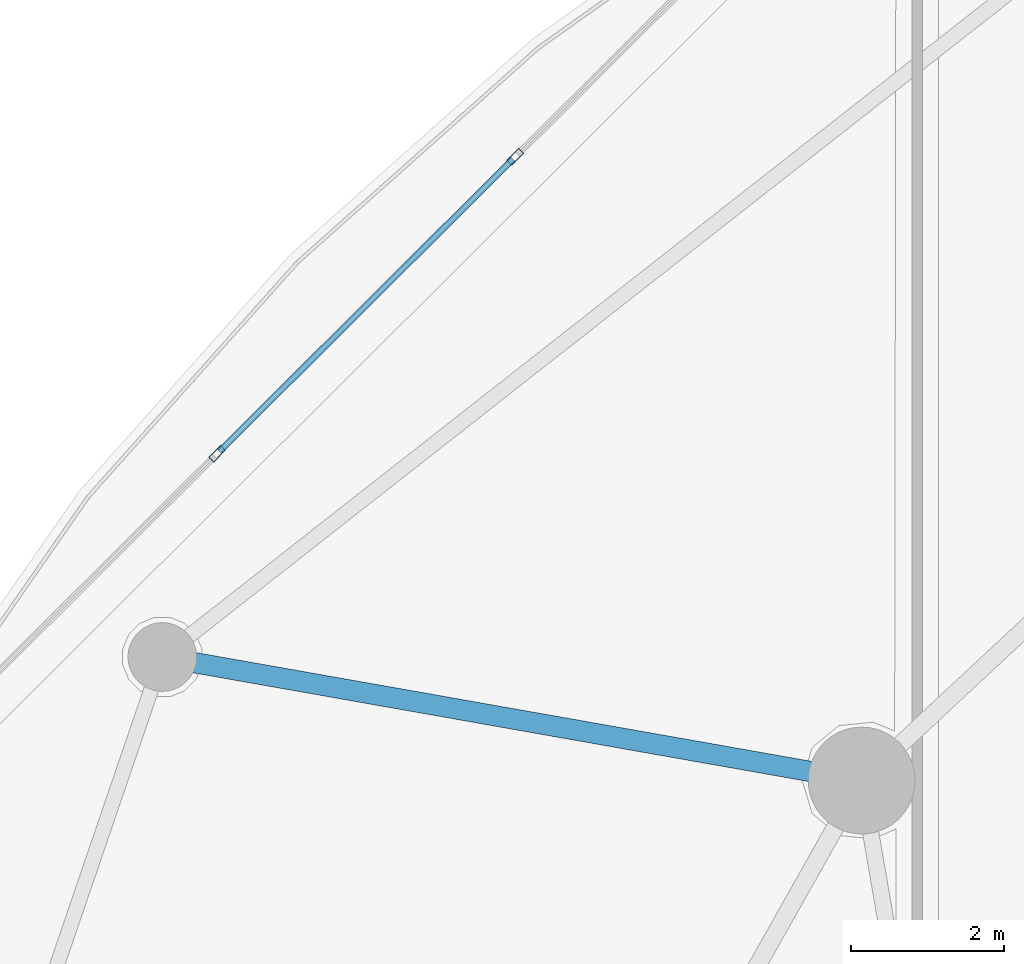
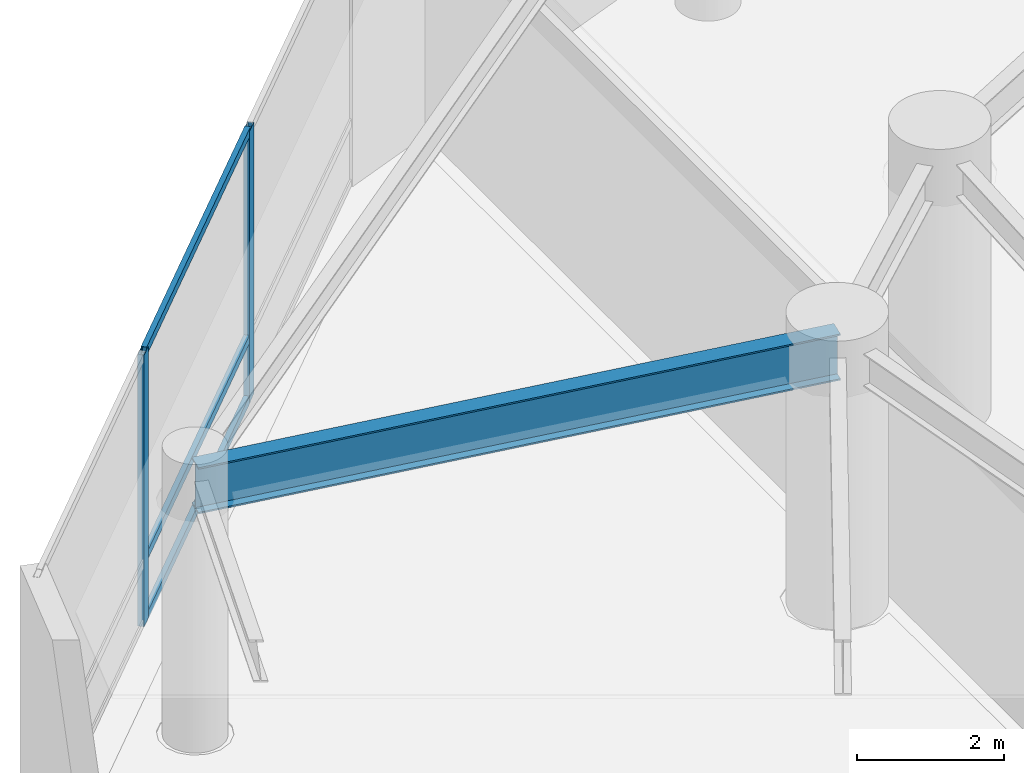
# One storey, part 8 of 40: 5 members, 1 beam, 1 element without a shape of its own.
"""IFC4 building model written with IfcOpenShell, lengths in metres."""

from ifc_helpers import new_model, si_unit, direction, frame, origin, origin_2d, place, context, subcontext, project, spatial, hollow_rectangle, i_section, extrude, material, layer, layer_set, material_profile, profile_set, type_object, element, aggregate, save


model = new_model("IFC4")

# Units and contexts
model_context = context("Model", 3, precision=1e-05, world=origin(), true_north=direction((0.0, 1.0)))
body_context = subcontext(model_context, "Body", "Model", "MODEL_VIEW")
ifc_project = project(units=[si_unit("LENGTHUNIT", "METRE"), si_unit("AREAUNIT", "SQUARE_METRE"), si_unit("VOLUMEUNIT", "CUBIC_METRE"), si_unit("PLANEANGLEUNIT", "RADIAN"), si_unit("MASSUNIT", "GRAM", prefix="KILO")], contexts=[model_context])

# Site, building, storey
site_placement = place(None, origin())
site = spatial("IfcSite", under=ifc_project, at=site_placement, CompositionType="ELEMENT")
building_placement = place(site_placement, origin())
building = spatial("IfcBuilding", under=site, at=building_placement, Name="Kazevale Care Tower and Concert Hall", CompositionType="ELEMENT")
storey_placement = place(building_placement, frame((0.0, 0.0, 9.60009765625)))
storey = spatial("IfcBuildingStorey", under=building, at=storey_placement, Name="L02", CompositionType="ELEMENT", Elevation=9.60009765625)

# Curtain wall, members
ifc_material_1 = material(Name="Aluminium 6063-T6 and Low-E Glass", Category="aluminium")
ifc_layer = layer(ifc_material_1, 0.179931640625)
ifc_layer_set = layer_set([ifc_layer], Name="Aluminium 6063-T6 and Low-E Glass")
curtain_wall_type = type_object("IfcCurtainWallType", Name="Podium Double-Skin Medical Curtain Wall CW-1", PredefinedType="NOTDEFINED", material=ifc_layer_set)
curtain_wall_placement = place(storey_placement, origin())
curtain_wall = element("IfcCurtainWall", 1, at=curtain_wall_placement, inside=storey, type_object=curtain_wall_type, Name="cw:L02:pod:06", PredefinedType="NOTDEFINED")
ifc_material_2 = material(Name="Aluminium 6063-T6", Category="aluminium")
ifc_material_profile_1 = material_profile(ifc_material_2, hollow_rectangle(XDim=0.090087890625, YDim=0.219970703125, WallThickness=0.0048828125, at=origin_2d()), Name="ALU90x220x5")
ifc_profile_set_1 = profile_set([ifc_material_profile_1], Name="Aluminium 6063-T6")
member_type_1 = type_object("IfcMemberType", Name="CW-1 Mullion ALU90x220x5", PredefinedType="MULLION", material=ifc_profile_set_1)
member_1_placement = place(storey_placement, frame((14.728271484375, 60.359375, 0.0), z_axis=(0.0, 0.0, 1.0), x_axis=(0.705655814257, -0.708554776856, 0.0)))
member_1 = element("IfcMember", 2, at=member_1_placement, type_object=member_type_1, Name="CW-1 mullion 2", PredefinedType="MULLION", context=body_context, shape_type="SweptSolid", body=[
    extrude(hollow_rectangle(XDim=0.090087890625, YDim=0.219970703125, WallThickness=0.0048828125, at=origin_2d()), origin(), (0.0, 0.0, 1.0), 4.52001953125),
])
member_2_placement = place(storey_placement, frame((10.817626953125, 56.464599609375, 0.0), z_axis=(0.0, 0.0, 1.0), x_axis=(0.705655814257, -0.708554776856, 0.0)))
member_2 = element("IfcMember", 3, at=member_2_placement, type_object=member_type_1, Name="CW-1 mullion 3", PredefinedType="MULLION", context=body_context, shape_type="SweptSolid", body=[
    extrude(hollow_rectangle(XDim=0.090087890625, YDim=0.219970703125, WallThickness=0.0048828125, at=origin_2d()), origin(), (0.0, 0.0, 1.0), 4.52001953125),
])
ifc_material_profile_2 = material_profile(ifc_material_2, hollow_rectangle(XDim=0.080078125, YDim=0.139892578125, WallThickness=0.00390625, at=origin_2d()), Name="ALU80x140x4")
ifc_profile_set_2 = profile_set([ifc_material_profile_2], Name="Aluminium 6063-T6")
member_type_2 = type_object("IfcMemberType", Name="CW-1 Transom ALU80x140x4", PredefinedType="USERDEFINED", material=ifc_profile_set_2)
member_3_placement = place(storey_placement, frame((14.696533203125, 60.32763671875, 0.039794921875), z_axis=(-0.708544259539, -0.705666374624, 0.0), x_axis=(0.705666374624, -0.708544259539, 0.0)))
member_3 = element("IfcMember", 4, at=member_3_placement, type_object=member_type_2, Name="CW-1 transom 2.1", ObjectType="TRANSOM", PredefinedType="USERDEFINED", context=body_context, shape_type="SweptSolid", body=[
    extrude(hollow_rectangle(XDim=0.080078125, YDim=0.139892578125, WallThickness=0.00390625, at=origin_2d()), origin(), (0.0, 0.0, 1.0), 5.429443359375),
])
member_4_placement = place(storey_placement, frame((14.696533203125, 60.32763671875, 1.0498046875), z_axis=(-0.708544259539, -0.705666374624, 0.0), x_axis=(0.705666374624, -0.708544259539, 0.0)))
member_4 = element("IfcMember", 5, at=member_4_placement, type_object=member_type_2, Name="CW-1 transom 2.2", ObjectType="TRANSOM", PredefinedType="USERDEFINED", context=body_context, shape_type="SweptSolid", body=[
    extrude(hollow_rectangle(XDim=0.080078125, YDim=0.139892578125, WallThickness=0.00390625, at=origin_2d()), origin(), (0.0, 0.0, 1.0), 5.429443359375),
])
member_5_placement = place(storey_placement, frame((14.696533203125, 60.32763671875, 4.47998046875), z_axis=(-0.708544259539, -0.705666374624, 0.0), x_axis=(0.705666374624, -0.708544259539, 0.0)))
member_5 = element("IfcMember", 6, at=member_5_placement, type_object=member_type_2, Name="CW-1 transom 2.3", ObjectType="TRANSOM", PredefinedType="USERDEFINED", context=body_context, shape_type="SweptSolid", body=[
    extrude(hollow_rectangle(XDim=0.080078125, YDim=0.139892578125, WallThickness=0.00390625, at=origin_2d()), origin(), (0.0, 0.0, 1.0), 5.429443359375),
])
aggregate(curtain_wall, [member_1, member_2, member_3, member_4, member_5])

# Beam
ifc_material_3 = material(Name="Steel ASTM A572 Gr 50", Category="steel")
ifc_material_profile_3 = material_profile(ifc_material_3, i_section(OverallWidth=0.26806640625, OverallDepth=0.77001953125, WebThickness=0.015625, FlangeThickness=0.025390625, at=origin_2d()), Name="W760x196")
ifc_profile_set_3 = profile_set([ifc_material_profile_3], Name="Steel ASTM A572 Gr 50")
beam_type = type_object("IfcBeamType", Name="Podium Primary Girder W760x196", PredefinedType="BEAM", material=ifc_profile_set_3)
beam_placement = place(storey_placement, frame((19.27001953125, 52.179931640625, 4.135009765625), z_axis=(-0.984748698979, 0.17398275736, 0.0), x_axis=(-0.17398275736, -0.984748698979, 0.0)))
element("IfcBeam", 7, at=beam_placement, inside=storey, type_object=beam_type, Name="beam:L02:podrad:06", PredefinedType="BEAM", context=body_context, shape_type="SweptSolid", body=[
    extrude(i_section(OverallWidth=0.26806640625, OverallDepth=0.77001953125, WebThickness=0.015625, FlangeThickness=0.025390625, at=origin_2d()), origin(), (0.0, 0.0, 1.0), 9.31201171875),
])

save(model, "model.ifc")
